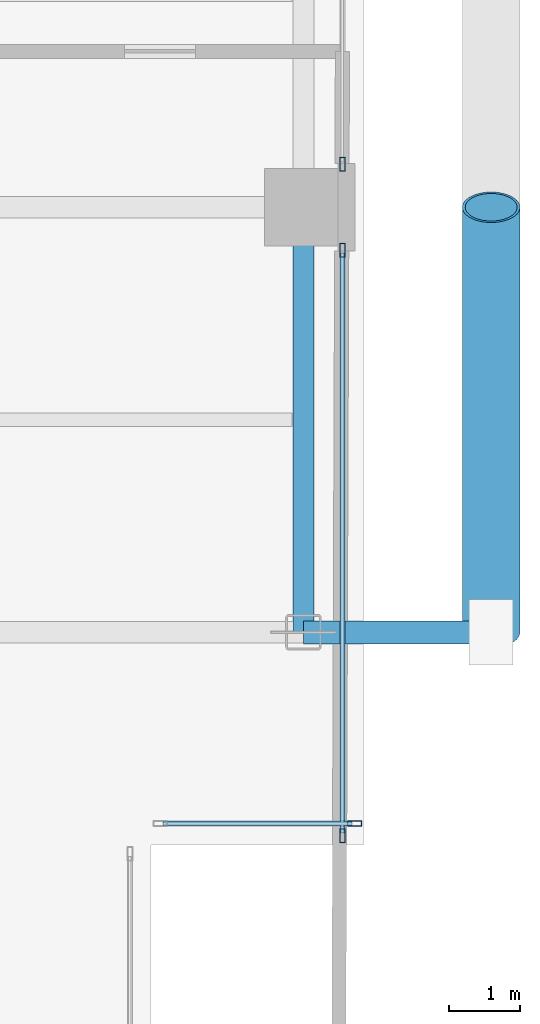
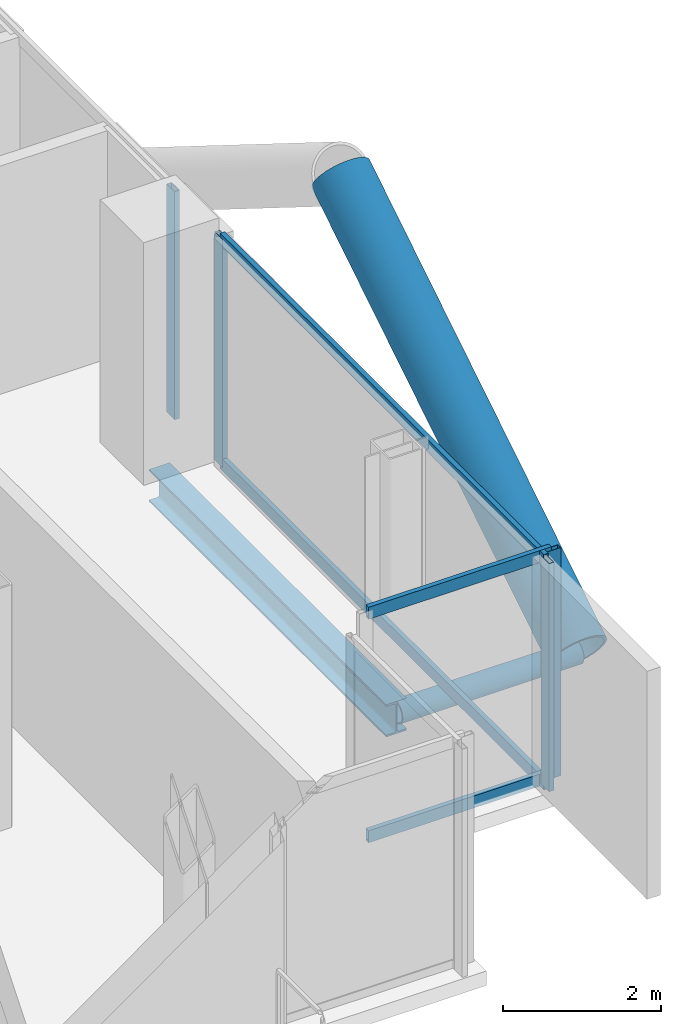
# One storey, part 12 of 28: 10 members, 1 beam, 3 elements without a shape of their own.
"""IFC4 building model written with IfcOpenShell, lengths in metres."""

from ifc_helpers import new_model, si_unit, direction, frame, origin, origin_2d, place, context, subcontext, project, spatial, hollow_rectangle, hollow_circle, i_section, extrude, material, layer, layer_set, material_profile, profile_set, type_object, element, aggregate, save


model = new_model("IFC4")

# Units and contexts
model_context = context("Model", 3, precision=1e-05, world=origin(), true_north=direction((0.0, 1.0)))
body_context = subcontext(model_context, "Body", "Model", "MODEL_VIEW")
ifc_project = project(units=[si_unit("LENGTHUNIT", "METRE"), si_unit("AREAUNIT", "SQUARE_METRE"), si_unit("VOLUMEUNIT", "CUBIC_METRE"), si_unit("PLANEANGLEUNIT", "RADIAN"), si_unit("MASSUNIT", "GRAM", prefix="KILO"), si_unit("THERMODYNAMICTEMPERATUREUNIT", "KELVIN"), si_unit("POWERUNIT", "WATT")], contexts=[model_context])

# Site, building, storey
site_placement = place(None, origin())
site = spatial("IfcSite", under=ifc_project, at=site_placement, CompositionType="ELEMENT")
building_placement = place(site_placement, origin())
building = spatial("IfcBuilding", under=site, at=building_placement, Name="Svarakhadi Broadcast Tower", CompositionType="ELEMENT")
storey_placement = place(building_placement, frame((0.0, 0.0, 119.39990234375)))
storey = spatial("IfcBuildingStorey", under=building, at=storey_placement, Name="L28", CompositionType="ELEMENT", Elevation=119.39990234375)

# Curtain wall, member
ifc_material_1 = material(Name="Anodised Bronze Aluminium AA 6063-T6", Category="aluminium")
ifc_layer = layer(ifc_material_1, 0.199951171875)
ifc_layer_set = layer_set([ifc_layer], Name="Anodised Bronze Aluminium AA 6063-T6")
curtain_wall_type = type_object("IfcCurtainWallType", Name="CW_Sys_03", PredefinedType="NOTDEFINED", material=ifc_layer_set)
curtain_wall_1_placement = place(storey_placement, origin())
curtain_wall_1 = element("IfcCurtainWall", 1, at=curtain_wall_1_placement, inside=storey, type_object=curtain_wall_type, Name="L28 Unitised Facade Curtain Wall 13 Bay 1", PredefinedType="NOTDEFINED")
ifc_material_profile_1 = material_profile(ifc_material_1, hollow_rectangle(XDim=0.074951171875, YDim=0.199951171875, WallThickness=0.005615234375, at=origin_2d()), Name="ALU MULLION 200x75x6")
ifc_profile_set_1 = profile_set([ifc_material_profile_1], Name="Anodised Bronze Aluminium AA 6063-T6")
member_type_1 = type_object("IfcMemberType", Name="CW_Sys_03_Mul", PredefinedType="MULLION", material=ifc_profile_set_1)
member_1_placement = place(storey_placement, frame((47.699951171875, 12.607421875, 0.0), z_axis=(0.0, 0.0, 1.0), x_axis=(1.0, 0.0, 0.0)))
member_1 = element("IfcMember", 2, at=member_1_placement, type_object=member_type_1, Name="CW-03 mullion 2", PredefinedType="MULLION", context=body_context, shape_type="SweptSolid", body=[
    extrude(hollow_rectangle(XDim=0.074951171875, YDim=0.199951171875, WallThickness=0.005615234375, at=origin_2d()), origin(), (0.0, 0.0, 1.0), 3.525146484375),
])
aggregate(curtain_wall_1, [member_1])

# Curtain wall, members
curtain_wall_2_placement = place(storey_placement, origin())
curtain_wall_2 = element("IfcCurtainWall", 3, at=curtain_wall_2_placement, inside=storey, type_object=curtain_wall_type, Name="L28 Unitised Facade Curtain Wall 13 Bay 2", PredefinedType="NOTDEFINED")
member_2_placement = place(storey_placement, frame((47.699951171875, 11.392578125, 0.0), z_axis=(0.0, 0.0, 1.0), x_axis=(1.0, 0.0, 0.0)))
member_2 = element("IfcMember", 4, at=member_2_placement, type_object=member_type_1, Name="CW-03 mullion 1", PredefinedType="MULLION", context=body_context, shape_type="SweptSolid", body=[
    extrude(hollow_rectangle(XDim=0.074951171875, YDim=0.199951171875, WallThickness=0.005615234375, at=origin_2d()), origin(), (0.0, 0.0, 1.0), 3.525146484375),
])
member_3_placement = place(storey_placement, frame((47.699951171875, 3.12744140625, 0.0), z_axis=(0.0, 0.0, 1.0), x_axis=(1.0, 0.0, 0.0)))
member_3 = element("IfcMember", 5, at=member_3_placement, type_object=member_type_1, Name="CW-03 mullion 2", PredefinedType="MULLION", context=body_context, shape_type="SweptSolid", body=[
    extrude(hollow_rectangle(XDim=0.074951171875, YDim=0.199951171875, WallThickness=0.005615234375, at=origin_2d()), origin(), (0.0, 0.0, 1.0), 3.525146484375),
])

# Curtain wall, member
curtain_wall_3_placement = place(storey_placement, origin())
curtain_wall_3 = element("IfcCurtainWall", 6, at=curtain_wall_3_placement, inside=storey, type_object=curtain_wall_type, Name="L28 Unitised Facade Curtain Wall 14", PredefinedType="NOTDEFINED")
member_4_placement = place(storey_placement, frame((47.87255859375, 3.300048828125, 0.0), z_axis=(0.0, 0.0, 1.0), x_axis=(0.0, -1.0, 0.0)))
member_4 = element("IfcMember", 7, at=member_4_placement, type_object=member_type_1, Name="CW-03 mullion 1", PredefinedType="MULLION", context=body_context, shape_type="SweptSolid", body=[
    extrude(hollow_rectangle(XDim=0.074951171875, YDim=0.199951171875, WallThickness=0.005615234375, at=origin_2d()), origin(), (0.0, 0.0, 1.0), 3.525146484375),
])

# Member
ifc_material_profile_2 = material_profile(ifc_material_1, hollow_rectangle(XDim=0.070068359375, YDim=0.18505859375, WallThickness=0.0048828125, at=origin_2d()), Name="ALU TRANSOM 185x70x5")
ifc_profile_set_2 = profile_set([ifc_material_profile_2], Name="Anodised Bronze Aluminium AA 6063-T6")
member_type_2 = type_object("IfcMemberType", Name="CW_Sys_03_Trn", PredefinedType="USERDEFINED", material=ifc_profile_set_2)
member_5_placement = place(storey_placement, frame((47.699951171875, 11.35498046875, 0.03515625), z_axis=(0.0, -1.0, 0.0), x_axis=(1.0, 0.0, 0.0)))
member_5 = element("IfcMember", 8, at=member_5_placement, type_object=member_type_2, Name="CW-03 transom 1.1", ObjectType="TRANSOM", PredefinedType="USERDEFINED", context=body_context, shape_type="SweptSolid", body=[
    extrude(hollow_rectangle(XDim=0.070068359375, YDim=0.18505859375, WallThickness=0.0048828125, at=origin_2d()), origin(), (0.0, 0.0, 1.0), 8.18994140625),
])

member_6_placement = place(storey_placement, frame((47.699951171875, 11.35498046875, 3.489990234375), z_axis=(0.0, -1.0, 0.0), x_axis=(1.0, 0.0, 0.0)))
member_6 = element("IfcMember", 9, at=member_6_placement, type_object=member_type_2, Name="CW-03 transom 1.2", ObjectType="TRANSOM", PredefinedType="USERDEFINED", context=body_context, shape_type="SweptSolid", body=[
    extrude(hollow_rectangle(XDim=0.070068359375, YDim=0.18505859375, WallThickness=0.0048828125, at=origin_2d()), origin(), (0.0, 0.0, 1.0), 8.18994140625),
])

aggregate(curtain_wall_2, [member_2, member_3, member_5, member_6])

member_7_placement = place(storey_placement, frame((47.8349609375, 3.300048828125, 0.03515625), z_axis=(-1.0, 0.0, 0.0), x_axis=(0.0, -1.0, 0.0)))
member_7 = element("IfcMember", 10, at=member_7_placement, type_object=member_type_2, Name="CW-03 transom 1.1", ObjectType="TRANSOM", PredefinedType="USERDEFINED", context=body_context, shape_type="SweptSolid", body=[
    extrude(hollow_rectangle(XDim=0.070068359375, YDim=0.18505859375, WallThickness=0.0048828125, at=origin_2d()), origin(), (0.0, 0.0, 1.0), 2.669921875),
])

member_8_placement = place(storey_placement, frame((47.8349609375, 3.300048828125, 3.489990234375), z_axis=(-1.0, 0.0, 0.0), x_axis=(0.0, -1.0, 0.0)))
member_8 = element("IfcMember", 11, at=member_8_placement, type_object=member_type_2, Name="CW-03 transom 1.2", ObjectType="TRANSOM", PredefinedType="USERDEFINED", context=body_context, shape_type="SweptSolid", body=[
    extrude(hollow_rectangle(XDim=0.070068359375, YDim=0.18505859375, WallThickness=0.0048828125, at=origin_2d()), origin(), (0.0, 0.0, 1.0), 2.669921875),
])

aggregate(curtain_wall_3, [member_4, member_7, member_8])

# Members
ifc_material_2 = material(Name="Steel S460ML (IS 2062 E450BR)", Category="steel")
ifc_material_profile_3 = material_profile(ifc_material_2, hollow_circle(Radius=0.406494140625, WallThickness=0.0400390625, at=origin_2d()), Name="CHS 813x40")
ifc_profile_set_3 = profile_set([ifc_material_profile_3], Name="Steel S460ML (IS 2062 E450BR)")
member_type_3 = type_object("IfcMemberType", Name="Exo_Brace_CHS813", PredefinedType="BRACE", material=ifc_profile_set_3)
member_9_placement = place(storey_placement, frame((49.800048828125, 6.0, -0.386962890625), z_axis=(0.0, 0.847998304005, 0.529998940003), x_axis=(-1.0, 0.0, 0.0)))
element("IfcMember", 12, at=member_9_placement, inside=storey, type_object=member_type_3, Name="L28 Exposed Bronze Exoskeleton Diagonal E08", PredefinedType="BRACE", context=body_context, shape_type="SweptSolid", body=[
    extrude(hollow_circle(Radius=0.406494140625, WallThickness=0.0400390625, at=origin_2d()), origin(), (0.0, 0.0, 1.0), 7.075439453125),
])
ifc_material_profile_4 = material_profile(ifc_material_2, hollow_circle(Radius=0.161865234375, WallThickness=0.01611328125, at=origin_2d()), Name="CHS 323.9x16")
ifc_profile_set_4 = profile_set([ifc_material_profile_4], Name="Steel S460ML (IS 2062 E450BR)")
member_type_4 = type_object("IfcMemberType", Name="Exo_Radial_Strut_Z2", PredefinedType="STRUT", material=ifc_profile_set_4)
member_10_placement = place(storey_placement, frame((49.800048828125, 6.0, -0.386962890625), z_axis=(-1.0, 0.0, 0.0), x_axis=(0.0, -1.0, 0.0)))
element("IfcMember", 13, at=member_10_placement, inside=storey, type_object=member_type_4, Name="L28 Exoskeleton Radial Tie Strut E08", PredefinedType="STRUT", context=body_context, shape_type="SweptSolid", body=[
    extrude(hollow_circle(Radius=0.161865234375, WallThickness=0.01611328125, at=origin_2d()), origin(), (0.0, 0.0, 1.0), 2.650146484375),
])

# Beam
ifc_material_3 = material(Name="Steel S355J2 (IS 2062 E350C)", Category="steel")
ifc_material_profile_5 = material_profile(ifc_material_3, i_section(OverallWidth=0.300048828125, OverallDepth=0.5, WebThickness=0.014404296875, FlangeThickness=0.028076171875, FilletRadius=0.027099609375, at=origin_2d()), Name="WPB 500x300x187")
ifc_profile_set_5 = profile_set([ifc_material_profile_5], Name="Steel S355J2 (IS 2062 E350C)")
beam_type = type_object("IfcBeamType", Name="Girder_WPB500", PredefinedType="USERDEFINED", material=ifc_profile_set_5)
beam_placement = place(storey_placement, frame((47.14990234375, 6.0, -0.474853515625), z_axis=(0.0, 1.0, 0.0), x_axis=(-1.0, 0.0, 0.0)))
element("IfcBeam", 14, at=beam_placement, inside=storey, type_object=beam_type, Name="L28 Primary N-S Girder G073", ObjectType="GIRDER", PredefinedType="USERDEFINED", context=body_context, shape_type="SweptSolid", body=[
    extrude(i_section(OverallWidth=0.300048828125, OverallDepth=0.5, WebThickness=0.014404296875, FlangeThickness=0.028076171875, FilletRadius=0.027099609375, at=origin_2d()), origin(), (0.0, 0.0, 1.0), 6.0),
])

save(model, "model.ifc")
